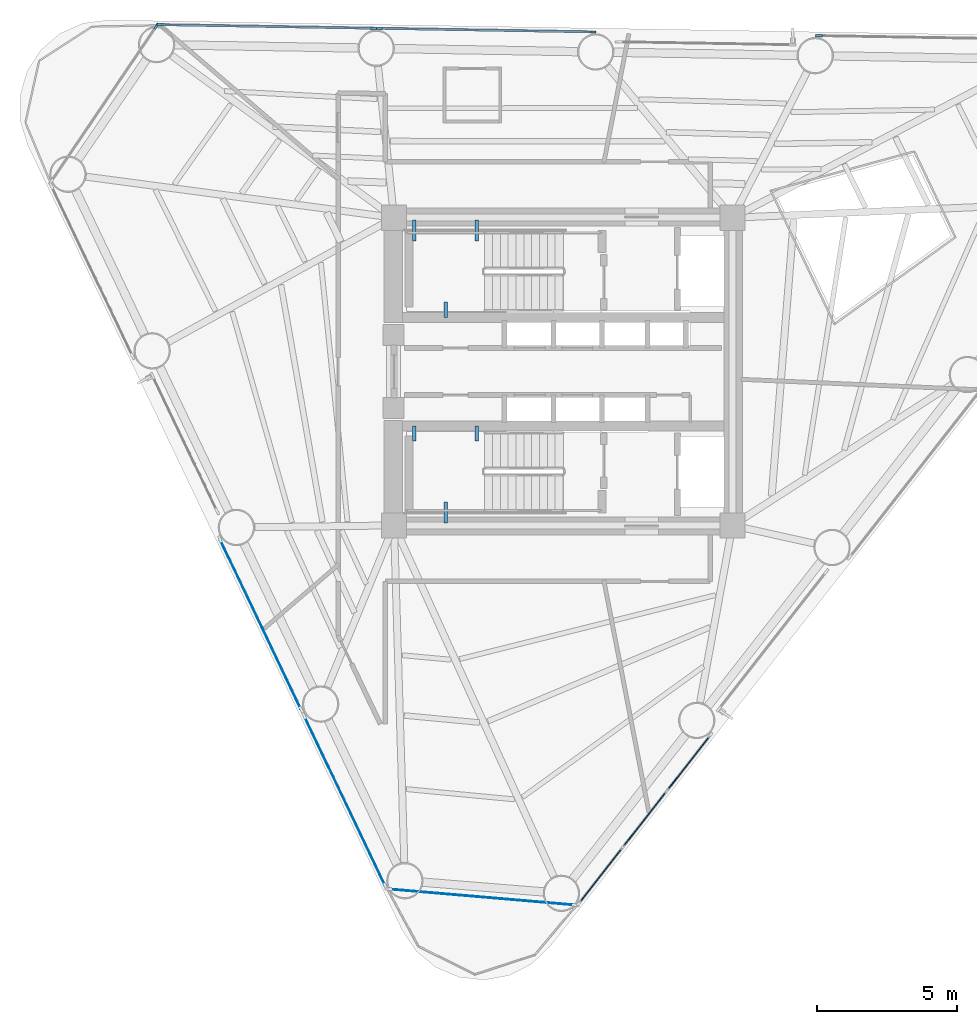
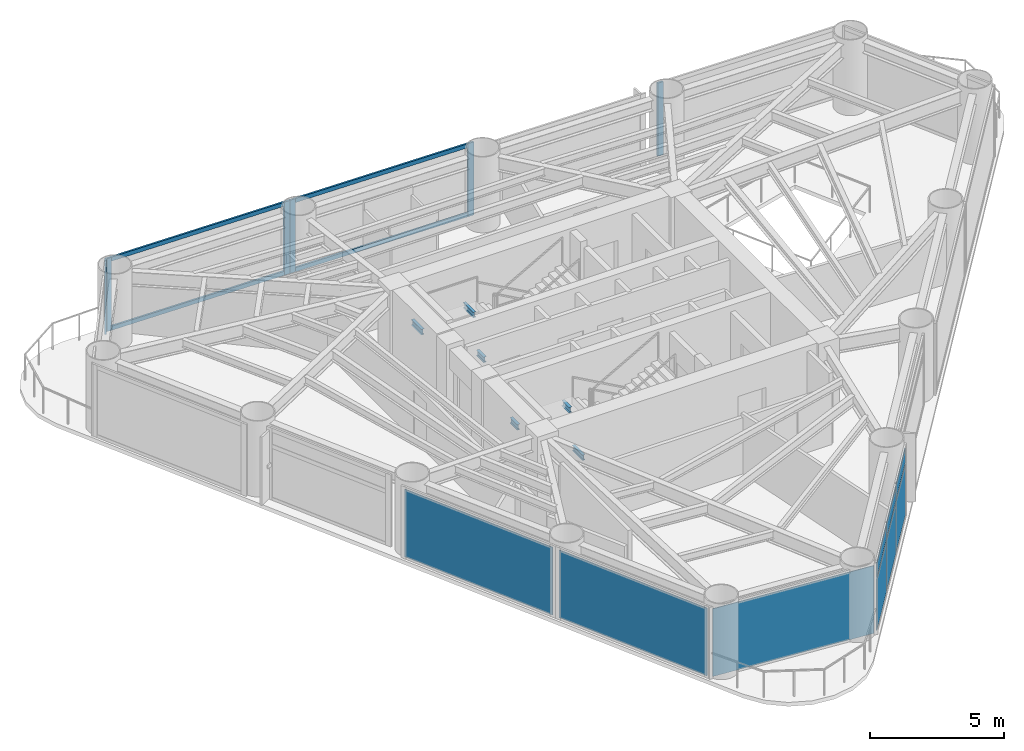
# One storey, part 5 of 11: 10 members, 9 plates, 6 beams, 8 elements without a shape of their own.
"""IFC4 building model written with IfcOpenShell, lengths in metres."""

from ifc_helpers import new_model, si_unit, direction, frame, origin, origin_2d, place, context, subcontext, project, spatial, rectangle, i_section, extrude, source, transform, mapped, material, layer, layer_set, material_profile, profile_set, type_object, element, aggregate, save


model = new_model("IFC4")

# Units and contexts
model_context = context("Model", 3, precision=1e-05, world=origin(), true_north=direction((0.0, 1.0)))
body_context = subcontext(model_context, "Body", "Model", "MODEL_VIEW")
ifc_project = project(units=[si_unit("LENGTHUNIT", "METRE"), si_unit("AREAUNIT", "SQUARE_METRE"), si_unit("VOLUMEUNIT", "CUBIC_METRE"), si_unit("PLANEANGLEUNIT", "RADIAN"), si_unit("MASSUNIT", "GRAM", prefix="KILO")], contexts=[model_context])

# Site, building, storey
site_placement = place(None, origin())
site = spatial("IfcSite", under=ifc_project, at=site_placement, CompositionType="ELEMENT")
building_placement = place(site_placement, origin())
building = spatial("IfcBuilding", under=site, at=building_placement, Name="Yunling Apex Tower", CompositionType="ELEMENT")
storey_placement = place(building_placement, frame((0.0, 0.0, 150.199951171875)))
storey = spatial("IfcBuildingStorey", under=building, at=storey_placement, Name="L37", CompositionType="ELEMENT", Elevation=150.199951171875)

# Beams
ifc_material_1 = material(Name="Steel Q355B", Category="steel")
ifc_material_profile_1 = material_profile(ifc_material_1, i_section(OverallWidth=0.125, OverallDepth=0.25, WebThickness=0.006103515625, FlangeThickness=0.009033203125, FilletRadius=0.011962890625, at=origin_2d()))
ifc_profile_set_1 = profile_set([ifc_material_profile_1], Name="Steel Q355B")
beam_type = type_object("IfcBeamType", Name="BL-LNT-1", PredefinedType="LINTEL", material=ifc_profile_set_1)
shared_shape_1 = source(origin(), body_context, "Body", "SweptSolid", [
    extrude(i_section(OverallWidth=0.125, OverallDepth=0.25, WebThickness=0.006103515625, FlangeThickness=0.009033203125, FilletRadius=0.011962890625, at=origin_2d()), origin(), (0.0, 0.0, 1.0), 0.760009765625),
])
for number, where, z_axis, x_axis, name in (
    (1, (-5.320068359375, 5.419921875, 1.405029296875), (0.0, -1.0, 0.0), (1.0, 0.0, 0.0), "L37 ST-1 Landing Bearing Corbel 1-1"),
    (2, (-3.090087890625, 5.419921875, 1.405029296875), (0.0, -1.0, 0.0), (1.0, 0.0, 0.0), "L37 ST-1 Landing Bearing Corbel 1-2"),
    (3, (-4.205078125, -5.419921875, 1.405029296875), (0.0, 1.0, 0.0), (-1.0, 0.0, 0.0), "L37 ST-2 Landing Bearing Corbel 1-3"),
):
    element("IfcBeam", number, at=place(storey_placement, frame(where, z_axis=z_axis, x_axis=x_axis)), inside=storey, type_object=beam_type, Name=name, PredefinedType="LINTEL", context=body_context, shape_type="MappedRepresentation", body=[
        mapped(shared_shape_1, transform((0.0, 0.0, 0.0), scale=1.0)),
    ])
shared_shape_2 = source(origin(), body_context, "Body", "SweptSolid", [
    extrude(i_section(OverallWidth=0.125, OverallDepth=0.25, WebThickness=0.006103515625, FlangeThickness=0.009033203125, FilletRadius=0.011962890625, at=origin_2d()), origin(), (0.0, 0.0, 1.0), 0.550048828125),
])
for number, where, z_axis, x_axis, name in (
    (4, (-4.205078125, 1.93994140625, 1.405029296875), (0.0, 1.0, 0.0), (-1.0, 0.0, 0.0), "L37 ST-1 Landing Bearing Corbel 1-3"),
    (5, (-5.320068359375, -1.93994140625, 1.405029296875), (0.0, -1.0, 0.0), (1.0, 0.0, 0.0), "L37 ST-2 Landing Bearing Corbel 1-1"),
    (6, (-3.090087890625, -1.93994140625, 1.405029296875), (0.0, -1.0, 0.0), (1.0, 0.0, 0.0), "L37 ST-2 Landing Bearing Corbel 1-2"),
):
    element("IfcBeam", number, at=place(storey_placement, frame(where, z_axis=z_axis, x_axis=x_axis)), inside=storey, type_object=beam_type, Name=name, PredefinedType="LINTEL", context=body_context, shape_type="MappedRepresentation", body=[
        mapped(shared_shape_2, transform((0.0, 0.0, 0.0), scale=1.0)),
    ])

# Curtain wall, members
ifc_material_2 = material(Name="Bronze anodised aluminium", Category="aluminium")
ifc_layer_1 = layer(ifc_material_2, 0.239990234375)
ifc_layer_set_1 = layer_set([ifc_layer_1], Name="Bronze anodised aluminium")
curtain_wall_type = type_object("IfcCurtainWallType", Name="CW-SYS-3", PredefinedType="NOTDEFINED", material=ifc_layer_set_1)
curtain_wall_1_placement = place(storey_placement, origin())
curtain_wall_1 = element("IfcCurtainWall", 7, at=curtain_wall_1_placement, inside=storey, type_object=curtain_wall_type, Name="CW-L37-F2-B3", PredefinedType="NOTDEFINED")
ifc_material_profile_2 = material_profile(ifc_material_2, rectangle(XDim=0.080078125, YDim=0.18505859375, at=origin_2d()))
ifc_profile_set_2 = profile_set([ifc_material_profile_2], Name="Bronze anodised aluminium")
member_type_1 = type_object("IfcMemberType", Name="CW-TRN-3", PredefinedType="USERDEFINED", material=ifc_profile_set_2)
shared_shape_3 = source(origin(), body_context, "Body", "SweptSolid", [
    extrude(rectangle(XDim=0.080078125, YDim=0.18505859375, at=origin_2d()), origin(), (0.0, 0.0, 1.0), 7.5380859375),
])
member_1_placement = place(storey_placement, frame((1.016357421875, 12.139404296875, 0.0400390625), z_axis=(-0.999859805743, 0.016744218696, 0.0), x_axis=(-0.016744218696, -0.999859805743, 0.0)))
member_1 = element("IfcMember", 8, at=member_1_placement, type_object=member_type_1, Name="CW-SYS-3 transom 1.1", ObjectType="TRANSOM", PredefinedType="USERDEFINED", context=body_context, shape_type="MappedRepresentation", body=[
    mapped(shared_shape_3, transform((0.0, 0.0, 0.0), scale=1.0)),
])
member_2_placement = place(storey_placement, frame((1.016357421875, 12.139404296875, 3.18994140625), z_axis=(-0.999859805743, 0.016744218696, 0.0), x_axis=(-0.016744218696, -0.999859805743, 0.0)))
member_2 = element("IfcMember", 9, at=member_2_placement, type_object=member_type_1, Name="CW-SYS-3 transom 1.2", ObjectType="TRANSOM", PredefinedType="USERDEFINED", context=body_context, shape_type="MappedRepresentation", body=[
    mapped(shared_shape_3, transform((0.0, 0.0, 0.0), scale=1.0)),
])

curtain_wall_2_placement = place(storey_placement, origin())
curtain_wall_2 = element("IfcCurtainWall", 10, at=curtain_wall_2_placement, inside=storey, type_object=curtain_wall_type, Name="CW-L37-F2-B4", PredefinedType="NOTDEFINED")
member_3_placement = place(storey_placement, frame((-6.83251953125, 12.27099609375, 0.0400390625), z_axis=(-0.999859805743, 0.016744218696, 0.0), x_axis=(-0.016744218696, -0.999859805743, 0.0)))
member_3 = element("IfcMember", 11, at=member_3_placement, type_object=member_type_1, Name="CW-SYS-3 transom 1.1", ObjectType="TRANSOM", PredefinedType="USERDEFINED", context=body_context, shape_type="MappedRepresentation", body=[
    mapped(shared_shape_3, transform((0.0, 0.0, 0.0), scale=1.0)),
])
member_4_placement = place(storey_placement, frame((-6.83251953125, 12.27099609375, 3.18994140625), z_axis=(-0.999859805743, 0.016744218696, 0.0), x_axis=(-0.016744218696, -0.999859805743, 0.0)))
member_4 = element("IfcMember", 12, at=member_4_placement, type_object=member_type_1, Name="CW-SYS-3 transom 1.2", ObjectType="TRANSOM", PredefinedType="USERDEFINED", context=body_context, shape_type="MappedRepresentation", body=[
    mapped(shared_shape_3, transform((0.0, 0.0, 0.0), scale=1.0)),
])

# Curtain wall, member
curtain_wall_3_placement = place(storey_placement, origin())
curtain_wall_3 = element("IfcCurtainWall", 13, at=curtain_wall_3_placement, inside=storey, type_object=curtain_wall_type, Name="CW-L37-F2-B1", PredefinedType="NOTDEFINED")
ifc_material_profile_3 = material_profile(ifc_material_2, rectangle(XDim=0.080078125, YDim=0.239990234375, at=origin_2d()))
ifc_profile_set_3 = profile_set([ifc_material_profile_3], Name="Bronze anodised aluminium")
member_type_2 = type_object("IfcMemberType", Name="CW-MUL-3", PredefinedType="MULLION", material=ifc_profile_set_3)
shared_shape_4 = source(origin(), body_context, "Body", "SweptSolid", [
    extrude(rectangle(XDim=0.080078125, YDim=0.239990234375, at=origin_2d()), origin(), (0.0, 0.0, 1.0), 3.330078125),
])
member_5_placement = place(storey_placement, frame((9.141357421875, 12.003173828125, -0.050048828125), z_axis=(0.0, 0.0, 1.0), x_axis=(-0.016761635477, -0.99985951392, 0.0)))
member_5 = element("IfcMember", 14, at=member_5_placement, type_object=member_type_2, Name="CW-SYS-3 mullion 2", PredefinedType="MULLION", context=body_context, shape_type="MappedRepresentation", body=[
    mapped(shared_shape_4, transform((0.0, 0.0, 0.0), scale=1.0)),
])
aggregate(curtain_wall_3, [member_5])

# Member
member_6_placement = place(storey_placement, frame((1.052490234375, 12.138671875, -0.050048828125), z_axis=(0.0, 0.0, 1.0), x_axis=(-0.016761635477, -0.99985951392, 0.0)))
member_6 = element("IfcMember", 15, at=member_6_placement, type_object=member_type_2, Name="CW-SYS-3 mullion 1", PredefinedType="MULLION", context=body_context, shape_type="MappedRepresentation", body=[
    mapped(shared_shape_4, transform((0.0, 0.0, 0.0), scale=1.0)),
])

member_7_placement = place(storey_placement, frame((-6.556640625, 12.266357421875, -0.050048828125), z_axis=(0.0, 0.0, 1.0), x_axis=(-0.016761635477, -0.99985951392, 0.0)))
member_7 = element("IfcMember", 16, at=member_7_placement, type_object=member_type_2, Name="CW-SYS-3 mullion 2", PredefinedType="MULLION", context=body_context, shape_type="MappedRepresentation", body=[
    mapped(shared_shape_4, transform((0.0, 0.0, 0.0), scale=1.0)),
])

aggregate(curtain_wall_1, [member_6, member_7, member_1, member_2])

member_8_placement = place(storey_placement, frame((-6.796630859375, 12.270263671875, -0.050048828125), z_axis=(0.0, 0.0, 1.0), x_axis=(-0.016761635477, -0.99985951392, 0.0)))
member_8 = element("IfcMember", 17, at=member_8_placement, type_object=member_type_2, Name="CW-SYS-3 mullion 1", PredefinedType="MULLION", context=body_context, shape_type="MappedRepresentation", body=[
    mapped(shared_shape_4, transform((0.0, 0.0, 0.0), scale=1.0)),
])

member_9_placement = place(storey_placement, frame((-14.40576171875, 12.39794921875, -0.050048828125), z_axis=(0.0, 0.0, 1.0), x_axis=(-0.016761635477, -0.99985951392, 0.0)))
member_9 = element("IfcMember", 18, at=member_9_placement, type_object=member_type_2, Name="CW-SYS-3 mullion 2", PredefinedType="MULLION", context=body_context, shape_type="MappedRepresentation", body=[
    mapped(shared_shape_4, transform((0.0, 0.0, 0.0), scale=1.0)),
])

aggregate(curtain_wall_2, [member_8, member_9, member_3, member_4])

# Curtain wall, member
curtain_wall_4_placement = place(storey_placement, origin())
curtain_wall_4 = element("IfcCurtainWall", 19, at=curtain_wall_4_placement, inside=storey, type_object=curtain_wall_type, Name="CW-L37-CRN2", PredefinedType="NOTDEFINED")
member_10_placement = place(storey_placement, frame((-14.54833984375, 12.3466796875, -0.050048828125), z_axis=(0.0, 0.0, 1.0), x_axis=(0.82813882115, -0.560523052964, 0.0)))
member_10 = element("IfcMember", 20, at=member_10_placement, type_object=member_type_2, Name="CW-SYS-3 mullion 1", PredefinedType="MULLION", context=body_context, shape_type="MappedRepresentation", body=[
    mapped(shared_shape_4, transform((0.0, 0.0, 0.0), scale=1.0)),
])
aggregate(curtain_wall_4, [member_10])

# Curtain wall, plates
curtain_wall_5_placement = place(storey_placement, origin())
curtain_wall_5 = element("IfcCurtainWall", 21, at=curtain_wall_5_placement, inside=storey, type_object=curtain_wall_type, Name="CW-L37-F1-B1", PredefinedType="NOTDEFINED")
ifc_material_3 = material(Name="Bronze tinted low-E glass", Category="glass")
ifc_layer_2 = layer(ifc_material_3, 0.031982421875)
ifc_layer_set_2 = layer_set([ifc_layer_2], Name="Bronze tinted low-E glass")
plate_type = type_object("IfcPlateType", Name="CW-PNL-3", PredefinedType="CURTAIN_PANEL", material=ifc_layer_set_2)
shared_shape_5 = source(origin(), body_context, "Body", "SweptSolid", [
    extrude(rectangle(XDim=2.45947265625, YDim=0.031982421875, at=origin_2d()), origin(), (0.0, 0.0, 1.0), 2.350830078125),
])
plate_1_placement = place(storey_placement, frame((1.3466796875, -18.00390625, 0.072265625), z_axis=(0.0, 0.0, 1.0), x_axis=(0.616207626377, 0.787583748686, 0.0)))
plate_1 = element("IfcPlate", 22, at=plate_1_placement, type_object=plate_type, Name="CW-SYS-3 panel 1.1", PredefinedType="CURTAIN_PANEL", context=body_context, shape_type="MappedRepresentation", body=[
    mapped(shared_shape_5, transform((0.0, 0.0, 0.0), scale=1.0)),
])
plate_2_placement = place(storey_placement, frame((4.481201171875, -13.99755859375, 0.072265625), z_axis=(0.0, 0.0, 1.0), x_axis=(0.616207626377, 0.787583748686, 0.0)))
plate_2 = element("IfcPlate", 23, at=plate_2_placement, type_object=plate_type, Name="CW-SYS-3 panel 3.1", PredefinedType="CURTAIN_PANEL", context=body_context, shape_type="MappedRepresentation", body=[
    mapped(shared_shape_5, transform((0.0, 0.0, 0.0), scale=1.0)),
])
shared_shape_6 = source(origin(), body_context, "Body", "SweptSolid", [
    extrude(rectangle(XDim=2.45947265625, YDim=0.031982421875, at=origin_2d()), origin(), (0.0, 0.0, 1.0), 0.671142578125),
])
plate_3_placement = place(storey_placement, frame((1.3466796875, -18.00390625, 2.48681640625), z_axis=(0.0, 0.0, 1.0), x_axis=(0.616207626377, 0.787583748686, 0.0)))
plate_3 = element("IfcPlate", 24, at=plate_3_placement, type_object=plate_type, Name="CW-SYS-3 panel 1.2", PredefinedType="CURTAIN_PANEL", context=body_context, shape_type="MappedRepresentation", body=[
    mapped(shared_shape_6, transform((0.0, 0.0, 0.0), scale=1.0)),
])
plate_4_placement = place(storey_placement, frame((4.481201171875, -13.99755859375, 2.48681640625), z_axis=(0.0, 0.0, 1.0), x_axis=(0.616207626377, 0.787583748686, 0.0)))
plate_4 = element("IfcPlate", 25, at=plate_4_placement, type_object=plate_type, Name="CW-SYS-3 panel 3.2", PredefinedType="CURTAIN_PANEL", context=body_context, shape_type="MappedRepresentation", body=[
    mapped(shared_shape_6, transform((0.0, 0.0, 0.0), scale=1.0)),
])
shared_shape_7 = source(origin(), body_context, "Body", "SweptSolid", [
    extrude(rectangle(XDim=2.499267578125, YDim=0.031982421875, at=origin_2d()), origin(), (0.0, 0.0, 1.0), 2.350830078125),
])
plate_5_placement = place(storey_placement, frame((2.913818359375, -16.000732421875, 0.072265625), z_axis=(0.0, 0.0, 1.0), x_axis=(0.616207626377, 0.787583748686, 0.0)))
plate_5 = element("IfcPlate", 26, at=plate_5_placement, type_object=plate_type, Name="CW-SYS-3 panel 2.1", PredefinedType="CURTAIN_PANEL", context=body_context, shape_type="MappedRepresentation", body=[
    mapped(shared_shape_7, transform((0.0, 0.0, 0.0), scale=1.0)),
])
shared_shape_8 = source(origin(), body_context, "Body", "SweptSolid", [
    extrude(rectangle(XDim=2.499267578125, YDim=0.031982421875, at=origin_2d()), origin(), (0.0, 0.0, 1.0), 0.671142578125),
])
plate_6_placement = place(storey_placement, frame((2.913818359375, -16.000732421875, 2.48681640625), z_axis=(0.0, 0.0, 1.0), x_axis=(0.616207626377, 0.787583748686, 0.0)))
plate_6 = element("IfcPlate", 27, at=plate_6_placement, type_object=plate_type, Name="CW-SYS-3 panel 2.2", PredefinedType="CURTAIN_PANEL", context=body_context, shape_type="MappedRepresentation", body=[
    mapped(shared_shape_8, transform((0.0, 0.0, 0.0), scale=1.0)),
])
aggregate(curtain_wall_5, [plate_1, plate_3, plate_5, plate_6, plate_2, plate_4])

# Curtain wall, plate
curtain_wall_6_placement = place(storey_placement, origin())
curtain_wall_6 = element("IfcCurtainWall", 28, at=curtain_wall_6_placement, inside=storey, type_object=curtain_wall_type, Name="CW-L37-F3-B3", PredefinedType="NOTDEFINED")
shared_shape_9 = source(origin(), body_context, "Body", "SweptSolid", [
    extrude(rectangle(XDim=6.691650390625, YDim=0.031982421875, at=origin_2d()), origin(), (0.0, 0.0, 1.0), 3.0859375),
])
plate_7_placement = place(storey_placement, frame((-10.820068359375, -9.036376953125, 0.072021484375), z_axis=(0.0, 0.0, 1.0), x_axis=(0.430493977743, -0.902593449526, 0.0)))
plate_7 = element("IfcPlate", 29, at=plate_7_placement, type_object=plate_type, Name="CW-SYS-3 panel 1.1", PredefinedType="CURTAIN_PANEL", context=body_context, shape_type="MappedRepresentation", body=[
    mapped(shared_shape_9, transform((0.0, 0.0, 0.0), scale=1.0)),
])
aggregate(curtain_wall_6, [plate_7])

curtain_wall_7_placement = place(storey_placement, origin())
curtain_wall_7 = element("IfcCurtainWall", 30, at=curtain_wall_7_placement, inside=storey, type_object=curtain_wall_type, Name="CW-L37-F3-B4", PredefinedType="NOTDEFINED")
plate_8_placement = place(storey_placement, frame((-7.80859375, -15.350341796875, 0.072021484375), z_axis=(0.0, 0.0, 1.0), x_axis=(0.430511580192, -0.902585053788, 0.0)))
plate_8 = element("IfcPlate", 31, at=plate_8_placement, type_object=plate_type, Name="CW-SYS-3 panel 1.1", PredefinedType="CURTAIN_PANEL", context=body_context, shape_type="MappedRepresentation", body=[
    mapped(shared_shape_9, transform((0.0, 0.0, 0.0), scale=1.0)),
])
aggregate(curtain_wall_7, [plate_8])

curtain_wall_8_placement = place(storey_placement, origin())
curtain_wall_8 = element("IfcCurtainWall", 32, at=curtain_wall_8_placement, inside=storey, type_object=curtain_wall_type, Name="CW-L37-CRN3", PredefinedType="NOTDEFINED")
shared_shape_10 = source(origin(), body_context, "Body", "SweptSolid", [
    extrude(rectangle(XDim=6.64501953125, YDim=0.031982421875, at=origin_2d()), origin(), (0.0, 0.0, 1.0), 3.0859375),
])
plate_9_placement = place(storey_placement, frame((-2.902587890625, -18.789306640625, 0.072021484375), z_axis=(0.0, 0.0, 1.0), x_axis=(0.996333853808, -0.085550287883, 0.0)))
plate_9 = element("IfcPlate", 33, at=plate_9_placement, type_object=plate_type, Name="CW-SYS-3 panel 1.1", PredefinedType="CURTAIN_PANEL", context=body_context, shape_type="MappedRepresentation", body=[
    mapped(shared_shape_10, transform((0.0, 0.0, 0.0), scale=1.0)),
])
aggregate(curtain_wall_8, [plate_9])

save(model, "model.ifc")
